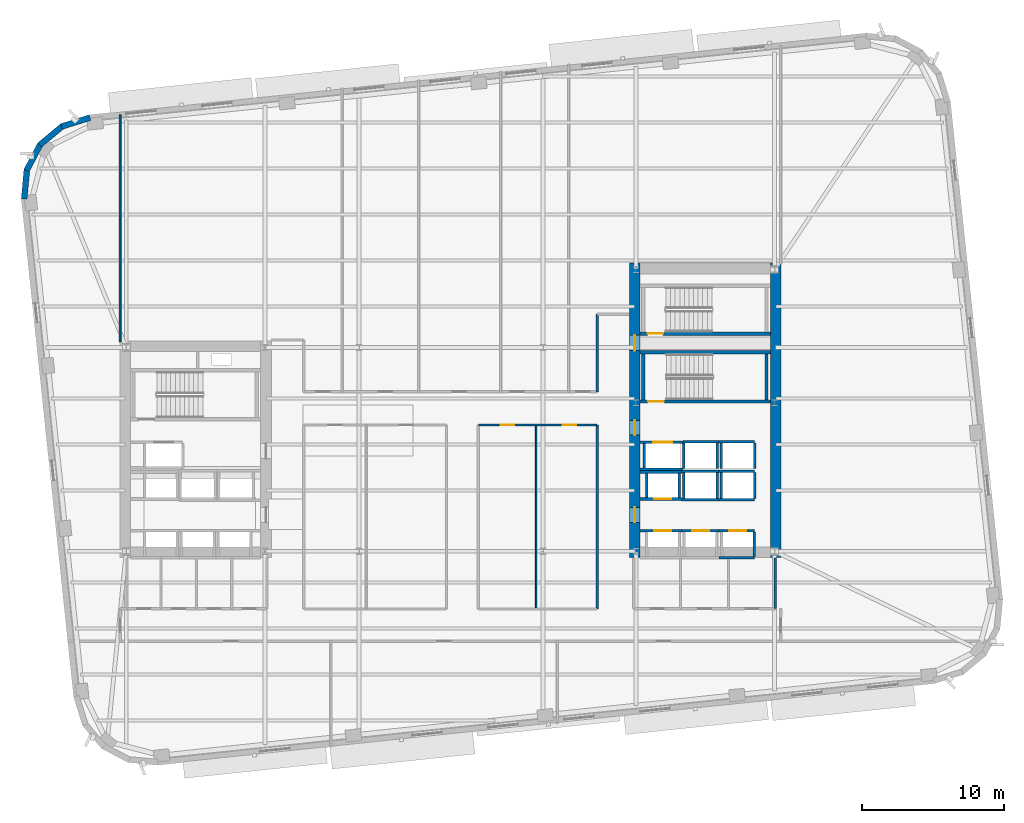
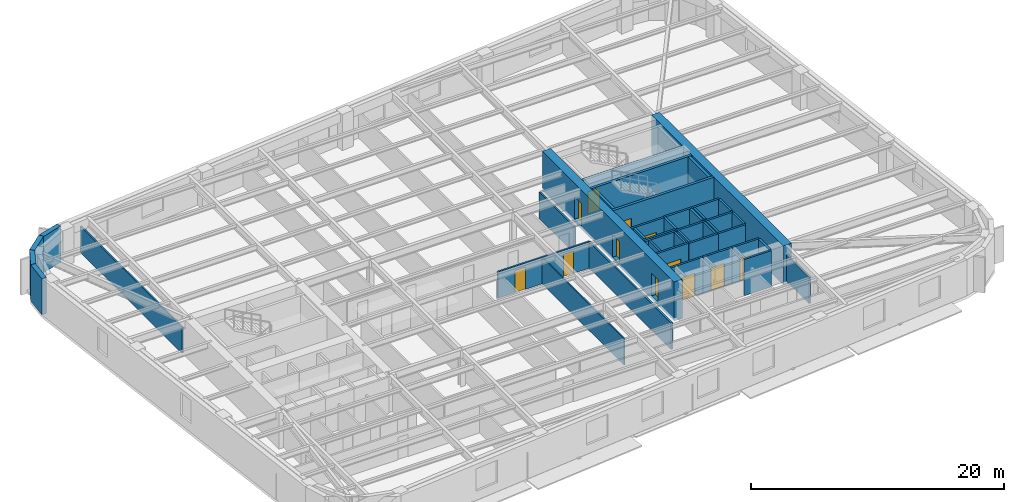
# One storey, part 6 of 15: 43 walls, 12 doors, 12 openings.
"""IFC4 building model written with IfcOpenShell, lengths in metres."""

from ifc_helpers import new_model, si_unit, direction, frame, frame_2d, origin, place, context, subcontext, project, spatial, rectangle, extrude, material, layer, layer_set, type_object, element, fill, save


model = new_model("IFC4")

# Units and contexts
model_context = context("Model", 3, precision=1e-05, world=origin(), true_north=direction((0.0, 1.0)))
body_context = subcontext(model_context, "Body", "Model", "MODEL_VIEW")
ifc_project = project(units=[si_unit("LENGTHUNIT", "METRE"), si_unit("AREAUNIT", "SQUARE_METRE"), si_unit("VOLUMEUNIT", "CUBIC_METRE"), si_unit("PLANEANGLEUNIT", "RADIAN"), si_unit("MASSUNIT", "GRAM", prefix="KILO")], contexts=[model_context])

# Site, building, storey
site_placement = place(None, origin())
site = spatial("IfcSite", under=ifc_project, at=site_placement, CompositionType="ELEMENT")
building_placement = place(site_placement, origin())
building = spatial("IfcBuilding", under=site, at=building_placement, Name="Kolvaren Arena Tower", CompositionType="ELEMENT")
storey_placement = place(building_placement, frame((0.0, 0.0, 107.199951171875)))
storey = spatial("IfcBuildingStorey", under=building, at=storey_placement, Name="L24", CompositionType="ELEMENT", Elevation=107.199951171875)

# Wall, openings, doors
ifc_material_1 = material(Name="Gypsum board acoustic assembly", Category="gypsum")
ifc_layer_1 = layer(ifc_material_1, 0.159912109375)
ifc_layer_set_1 = layer_set([ifc_layer_1], Name="Gypsum board acoustic assembly")
wall_type_1 = type_object("IfcWallType", Name="CORR-160", PredefinedType="PARTITIONING", material=ifc_layer_set_1)
wall_1_placement = place(storey_placement, frame((39.43994140625, 28.3798828125, 0.0), z_axis=(0.0, 0.0, 1.0), x_axis=(1.0, 0.0, 0.0)))
wall_1 = element("IfcWall", 1, at=wall_1_placement, inside=storey, type_object=wall_type_1, Name="Interior Partition Wall (L24)", PredefinedType="PARTITIONING", context=body_context, shape_type="SweptSolid", body=[
    extrude(rectangle(XDim=8.360107421875, YDim=0.159912109375, at=frame_2d((4.18017578125, 0.0))), origin(), (0.0, 0.0, 1.0), 2.5400390625),
])
opening_1_placement = place(wall_1_placement, frame((1.554931640625, 0.0, 0.0)))
opening_1 = element("IfcOpeningElement", 2, at=opening_1_placement, cuts=wall_1, Name="Opening D05", PredefinedType="OPENING", context=body_context, shape_type="SweptSolid", body=[
    extrude(rectangle(XDim=0.949951171875, YDim=2.14990234375, at=frame_2d((0.47509765625, 1.074951171875))), frame((0.0, 0.08984375, 0.0), z_axis=(0.0, -1.0, 0.0), x_axis=(1.0, 0.0, 0.0)), (0.0, 0.0, 1.0), 0.179931640625),
])
opening_2_placement = place(wall_1_placement, frame((5.93505859375, 0.0, 0.0)))
opening_2 = element("IfcOpeningElement", 3, at=opening_2_placement, cuts=wall_1, Name="Opening D05", PredefinedType="OPENING", context=body_context, shape_type="SweptSolid", body=[
    extrude(rectangle(XDim=0.949951171875, YDim=2.14990234375, at=frame_2d((0.47509765625, 1.074951171875))), frame((0.0, 0.08984375, 0.0), z_axis=(0.0, -1.0, 0.0), x_axis=(1.0, 0.0, 0.0)), (0.0, 0.0, 1.0), 0.179931640625),
])
ifc_material_2 = material(Name="Solid-core oak acoustic office door", Category="wood")
door_type_1 = type_object("IfcDoorType", Name="DOOR-OF-095", OperationType="NOTDEFINED", PredefinedType="DOOR", material=ifc_material_2)
door_1_placement = place(opening_1_placement, origin())
door_1 = element("IfcDoor", 4, at=door_1_placement, inside=storey, type_object=door_type_1, Name="Breakout Pantry and Kitchen Door (L24)", OperationType="SINGLE_SWING_RIGHT", OverallHeight=2.14990234375, OverallWidth=0.949951171875, PredefinedType="DOOR", context=body_context, shape_type="SweptSolid", body=[
    extrude(rectangle(XDim=0.949951171875, YDim=2.14990234375, at=frame_2d((0.47509765625, 1.074951171875))), frame((0.0, 0.02490234375, 0.0), z_axis=(0.0, -1.0, 0.0), x_axis=(1.0, 0.0, 0.0)), (0.0, 0.0, 1.0), 0.050048828125),
])
fill(opening_1, door_1)
door_2_placement = place(opening_2_placement, origin())
door_2 = element("IfcDoor", 5, at=door_2_placement, inside=storey, type_object=door_type_1, Name="Open Plan Office Door (L24)", OperationType="SINGLE_SWING_LEFT", OverallHeight=2.14990234375, OverallWidth=0.949951171875, PredefinedType="DOOR", context=body_context, shape_type="SweptSolid", body=[
    extrude(rectangle(XDim=0.949951171875, YDim=2.14990234375, at=frame_2d((0.47509765625, 1.074951171875))), frame((0.0, 0.02490234375, 0.0), z_axis=(0.0, -1.0, 0.0), x_axis=(1.0, 0.0, 0.0)), (0.0, 0.0, 1.0), 0.050048828125),
])
fill(opening_2, door_2)

# Walls
wall_2_placement = place(storey_placement, frame((47.820068359375, 15.3798828125, 0.0), z_axis=(0.0, 0.0, 1.0), x_axis=(0.0, 1.0, 0.0)))
element("IfcWall", 6, at=wall_2_placement, inside=storey, type_object=wall_type_1, Name="Interior Partition Wall (L24)", PredefinedType="PARTITIONING", context=body_context, shape_type="SweptSolid", body=[
    extrude(rectangle(XDim=13.0, YDim=0.159912109375, at=frame_2d((6.5, 0.0))), origin(), (0.0, 0.0, 1.0), 2.5400390625),
])
wall_3_placement = place(storey_placement, frame((47.820068359375, 30.719970703125, 0.0), z_axis=(0.0, 0.0, 1.0), x_axis=(0.0, 1.0, 0.0)))
element("IfcWall", 7, at=wall_3_placement, inside=storey, type_object=wall_type_1, Name="Interior Partition Wall (L24)", PredefinedType="PARTITIONING", context=body_context, shape_type="SweptSolid", body=[
    extrude(rectangle(XDim=5.47998046875, YDim=0.159912109375, at=frame_2d((2.739990234375, 0.0))), origin(), (0.0, 0.0, 1.0), 2.5400390625),
])

# Wall, openings, doors
ifc_material_3 = material(Name="Concrete 70 MPa", Category="concrete")
ifc_layer_2 = layer(ifc_material_3, 0.75)
ifc_layer_set_2 = layer_set([ifc_layer_2], Name="Concrete 70 MPa")
wall_type_2 = type_object("IfcWallType", Name="CWALL-750", PredefinedType="SHEAR", material=ifc_layer_set_2)
wall_4_placement = place(storey_placement, frame((50.47509765625, 19.0, -0.27001953125), z_axis=(0.0, 0.0, 1.0), x_axis=(0.0, 1.0, 0.0)))
wall_4 = element("IfcWall", 8, at=wall_4_placement, inside=storey, type_object=wall_type_2, Name="Core Shear Wall EC-WEST (L24)", PredefinedType="SHEAR", context=body_context, shape_type="SweptSolid", body=[
    extrude(rectangle(XDim=20.800048828125, YDim=0.75, at=frame_2d((10.39990234375, 0.0))), origin(), (0.0, 0.0, 1.0), 3.75),
])
opening_3_placement = place(wall_4_placement, frame((2.5, 0.0, 0.27001953125)))
opening_3 = element("IfcOpeningElement", 9, at=opening_3_placement, cuts=wall_4, Name="Opening D04", PredefinedType="OPENING", context=body_context, shape_type="SweptSolid", body=[
    extrude(rectangle(XDim=1.050048828125, YDim=2.14990234375, at=frame_2d((0.52490234375, 1.074951171875))), frame((0.0, 0.385009765625, 0.0), z_axis=(0.0, -1.0, 0.0), x_axis=(1.0, 0.0, 0.0)), (0.0, 0.0, 1.0), 0.77001953125),
])
opening_4_placement = place(wall_4_placement, frame((8.64990234375, 0.0, 0.27001953125)))
opening_4 = element("IfcOpeningElement", 10, at=opening_4_placement, cuts=wall_4, Name="Opening D04", PredefinedType="OPENING", context=body_context, shape_type="SweptSolid", body=[
    extrude(rectangle(XDim=1.050048828125, YDim=2.14990234375, at=frame_2d((0.52490234375, 1.074951171875))), frame((0.0, 0.385009765625, 0.0), z_axis=(0.0, -1.0, 0.0), x_axis=(1.0, 0.0, 0.0)), (0.0, 0.0, 1.0), 0.77001953125),
])
opening_5_placement = place(wall_4_placement, frame((14.6201171875, 0.0, 0.27001953125)))
opening_5 = element("IfcOpeningElement", 11, at=opening_5_placement, cuts=wall_4, Name="Opening D03", PredefinedType="OPENING", context=body_context, shape_type="SweptSolid", body=[
    extrude(rectangle(XDim=1.10009765625, YDim=2.14990234375, at=frame_2d((0.550048828125, 1.074951171875))), frame((0.0, 0.385009765625, 0.0), z_axis=(0.0, -1.0, 0.0), x_axis=(1.0, 0.0, 0.0)), (0.0, 0.0, 1.0), 0.77001953125),
])
ifc_material_4 = material(Name="Fire-rated steel lobby door", Category="steel")
door_type_2 = type_object("IfcDoorType", Name="DOOR-FF-105", OperationType="NOTDEFINED", PredefinedType="DOOR", material=ifc_material_4)
door_3_placement = place(opening_3_placement, origin())
door_3 = element("IfcDoor", 12, at=door_3_placement, inside=storey, type_object=door_type_2, Name="East Lift Lobby Fire Door (L24)", OperationType="SINGLE_SWING_RIGHT", OverallHeight=2.14990234375, OverallWidth=1.050048828125, PredefinedType="DOOR", context=body_context, shape_type="SweptSolid", body=[
    extrude(rectangle(XDim=1.050048828125, YDim=2.14990234375, at=frame_2d((0.52490234375, 1.074951171875))), frame((0.0, 0.02490234375, 0.0), z_axis=(0.0, -1.0, 0.0), x_axis=(1.0, 0.0, 0.0)), (0.0, 0.0, 1.0), 0.050048828125),
])
fill(opening_3, door_3)
door_4_placement = place(opening_4_placement, origin())
door_4 = element("IfcDoor", 13, at=door_4_placement, inside=storey, type_object=door_type_2, Name="East Firefighter Vestibule Door (L24)", OperationType="SINGLE_SWING_LEFT", OverallHeight=2.14990234375, OverallWidth=1.050048828125, PredefinedType="DOOR", context=body_context, shape_type="SweptSolid", body=[
    extrude(rectangle(XDim=1.050048828125, YDim=2.14990234375, at=frame_2d((0.52490234375, 1.074951171875))), frame((0.0, 0.02490234375, 0.0), z_axis=(0.0, -1.0, 0.0), x_axis=(1.0, 0.0, 0.0)), (0.0, 0.0, 1.0), 0.050048828125),
])
fill(opening_4, door_4)
ifc_material_5 = material(Name="Fire-rated steel exit stair door", Category="steel")
door_type_3 = type_object("IfcDoorType", Name="DOOR-ST-110", OperationType="NOTDEFINED", PredefinedType="DOOR", material=ifc_material_5)
door_5_placement = place(opening_5_placement, origin())
door_5 = element("IfcDoor", 14, at=door_5_placement, inside=storey, type_object=door_type_3, Name="Stair ST-E2 Vestibule Fire Door (L24)", OperationType="SINGLE_SWING_LEFT", OverallHeight=2.14990234375, OverallWidth=1.10009765625, PredefinedType="DOOR", context=body_context, shape_type="SweptSolid", body=[
    extrude(rectangle(XDim=1.10009765625, YDim=2.14990234375, at=frame_2d((0.550048828125, 1.074951171875))), frame((0.0, 0.02490234375, 0.0), z_axis=(0.0, -1.0, 0.0), x_axis=(1.0, 0.0, 0.0)), (0.0, 0.0, 1.0), 0.050048828125),
])
fill(opening_5, door_5)

# Walls
wall_5_placement = place(storey_placement, frame((60.425048828125, 19.0, -0.27001953125), z_axis=(0.0, 0.0, 1.0), x_axis=(0.0, 1.0, 0.0)))
element("IfcWall", 15, at=wall_5_placement, inside=storey, type_object=wall_type_2, Name="Core Shear Wall EC-EAST (L24)", PredefinedType="SHEAR", context=body_context, shape_type="SweptSolid", body=[
    extrude(rectangle(XDim=20.800048828125, YDim=0.75, at=frame_2d((10.39990234375, 0.0))), origin(), (0.0, 0.0, 1.0), 3.75),
])
ifc_material_6 = material(Name="Precast concrete C50/60", Category="concrete")
ifc_layer_3 = layer(ifc_material_6, 0.419921875)
ifc_layer_set_3 = layer_set([ifc_layer_3], Name="Precast concrete C50/60")
wall_type_3 = type_object("IfcWallType", Name="EXT-PIER1", PredefinedType="SOLIDWALL", material=ifc_layer_set_3)
wall_6_placement = place(storey_placement, frame((9.98681640625, 49.463134765625, 0.0), z_axis=(0.0, 0.0, 1.0), x_axis=(0.955016613791, 0.296552301261, 0.0)))
element("IfcWall", 16, at=wall_6_placement, inside=storey, type_object=wall_type_3, Name="Exterior Precast Masonry-Frame Wall (L24)", PredefinedType="SOLIDWALL", context=body_context, shape_type="SweptSolid", body=[
    extrude(rectangle(XDim=2.106689453125, YDim=0.419921875, at=frame_2d((1.05322265625, 0.0))), origin(), (0.0, 0.0, 1.0), 3.47998046875),
])
wall_7_placement = place(storey_placement, frame((8.438720703125, 48.15478515625, 0.0), z_axis=(0.0, 0.0, 1.0), x_axis=(0.768800317178, 0.639488914921, 0.0)))
element("IfcWall", 17, at=wall_7_placement, inside=storey, type_object=wall_type_3, Name="Exterior Precast Masonry-Frame Wall (L24)", PredefinedType="SOLIDWALL", context=body_context, shape_type="SweptSolid", body=[
    extrude(rectangle(XDim=2.10693359375, YDim=0.419921875, at=frame_2d((1.053466796875, 0.0))), origin(), (0.0, 0.0, 1.0), 3.47998046875),
])
wall_8_placement = place(storey_placement, frame((7.50927734375, 46.35400390625, 0.0), z_axis=(0.0, 0.0, 1.0), x_axis=(0.465612698516, 0.884988595961, 0.0)))
element("IfcWall", 18, at=wall_8_placement, inside=storey, type_object=wall_type_3, Name="Exterior Precast Masonry-Frame Wall (L24)", PredefinedType="SOLIDWALL", context=body_context, shape_type="SweptSolid", body=[
    extrude(rectangle(XDim=2.106689453125, YDim=0.419921875, at=frame_2d((1.05322265625, 0.0))), origin(), (0.0, 0.0, 1.0), 3.47998046875),
])
wall_9_placement = place(storey_placement, frame((7.339599609375, 44.33447265625, 0.0), z_axis=(0.0, 0.0, 1.0), x_axis=(0.091538655308, 0.995801523691, 0.0)))
element("IfcWall", 19, at=wall_9_placement, inside=storey, type_object=wall_type_3, Name="Exterior Precast Masonry-Frame Wall (L24)", PredefinedType="SOLIDWALL", context=body_context, shape_type="SweptSolid", body=[
    extrude(rectangle(XDim=2.10693359375, YDim=0.419921875, at=frame_2d((1.053466796875, 0.0))), origin(), (0.0, 0.0, 1.0), 3.47998046875),
])
ifc_material_7 = material(Name="Gypsum board partition assembly", Category="gypsum")
ifc_layer_4 = layer(ifc_material_7, 0.114990234375)
ifc_layer_set_4 = layer_set([ifc_layer_4], Name="Gypsum board partition assembly")
wall_type_4 = type_object("IfcWallType", Name="PART-115", PredefinedType="PARTITIONING", material=ifc_layer_set_4)
wall_10_placement = place(storey_placement, frame((43.5, 15.3798828125, 0.0), z_axis=(0.0, 0.0, 1.0), x_axis=(0.0, 1.0, 0.0)))
element("IfcWall", 20, at=wall_10_placement, inside=storey, type_object=wall_type_4, Name="Interior Partition Wall (L24)", PredefinedType="PARTITIONING", context=body_context, shape_type="SweptSolid", body=[
    extrude(rectangle(XDim=13.0, YDim=0.114990234375, at=frame_2d((6.5, 0.0))), origin(), (0.0, 0.0, 1.0), 2.5400390625),
])
ifc_layer_5 = layer(ifc_material_7, 0.135009765625)
ifc_layer_set_5 = layer_set([ifc_layer_5], Name="Gypsum board partition assembly")
wall_type_5 = type_object("IfcWallType", Name="PART-135", PredefinedType="PARTITIONING", material=ifc_layer_set_5)
wall_11_placement = place(storey_placement, frame((14.1201171875, 34.25, 0.0), z_axis=(0.0, 0.0, 1.0), x_axis=(0.0, 1.0, 0.0)))
element("IfcWall", 21, at=wall_11_placement, inside=storey, type_object=wall_type_5, Name="Interior Partition Wall (L24)", PredefinedType="PARTITIONING", context=body_context, shape_type="SweptSolid", body=[
    extrude(rectangle(XDim=16.026611328125, YDim=0.135009765625, at=frame_2d((8.01318359375, 0.0))), origin(), (0.0, 0.0, 1.0), 2.5400390625),
])

# Wall, opening, door
ifc_material_8 = material(Name="Concrete 45 MPa", Category="concrete")
ifc_layer_6 = layer(ifc_material_8, 0.25)
ifc_layer_set_6 = layer_set([ifc_layer_6], Name="Concrete 45 MPa")
wall_type_6 = type_object("IfcWallType", Name="SHAFT-250", PredefinedType="SOLIDWALL", material=ifc_layer_set_6)
wall_12_placement = place(storey_placement, frame((60.050048828125, 30.030029296875, 0.0), z_axis=(0.0, 0.0, 1.0), x_axis=(-1.0, 0.0, 0.0)))
wall_12 = element("IfcWall", 22, at=wall_12_placement, inside=storey, type_object=wall_type_6, Name="Core Shaft Wall (L24)", PredefinedType="SOLIDWALL", context=body_context, shape_type="SweptSolid", body=[
    extrude(rectangle(XDim=9.199951171875, YDim=0.239990234375, at=frame_2d((4.60009765625, 0.0))), origin(), (0.0, 0.0, 1.0), 3.47998046875),
])
opening_6_placement = place(wall_12_placement, frame((7.530029296875, 0.0, 0.0)))
opening_6 = element("IfcOpeningElement", 23, at=opening_6_placement, cuts=wall_12, Name="Opening D03", PredefinedType="OPENING", context=body_context, shape_type="SweptSolid", body=[
    extrude(rectangle(XDim=1.10009765625, YDim=2.14990234375, at=frame_2d((0.550048828125, 1.074951171875))), frame((0.0, 0.1298828125, 0.0), z_axis=(0.0, -1.0, 0.0), x_axis=(1.0, 0.0, 0.0)), (0.0, 0.0, 1.0), 0.260009765625),
])
door_6_placement = place(opening_6_placement, origin())
door_6 = element("IfcDoor", 24, at=door_6_placement, inside=storey, type_object=door_type_3, Name="Stair ST-E1 Fire Door (L24)", OperationType="SINGLE_SWING_LEFT", OverallHeight=2.14990234375, OverallWidth=1.10009765625, PredefinedType="DOOR", context=body_context, shape_type="SweptSolid", body=[
    extrude(rectangle(XDim=1.10009765625, YDim=2.14990234375, at=frame_2d((0.550048828125, 1.074951171875))), frame((0.0, 0.02490234375, 0.0), z_axis=(0.0, -1.0, 0.0), x_axis=(1.0, 0.0, 0.0)), (0.0, 0.0, 1.0), 0.050048828125),
])
fill(opening_6, door_6)

# Walls
wall_13_placement = place(storey_placement, frame((50.85009765625, 33.5, 0.0), z_axis=(0.0, 0.0, 1.0), x_axis=(1.0, 0.0, 0.0)))
element("IfcWall", 25, at=wall_13_placement, inside=storey, type_object=wall_type_6, Name="Core Shaft Wall (L24)", PredefinedType="SOLIDWALL", context=body_context, shape_type="SweptSolid", body=[
    extrude(rectangle(XDim=9.199951171875, YDim=0.239990234375, at=frame_2d((4.60009765625, 0.0))), origin(), (0.0, 0.0, 1.0), 3.47998046875),
])
for number, where, z_axis, x_axis, name in (
    (26, (51.06005859375, 30.14990234375, 0.0), (0.0, 0.0, 1.0), (0.0, 1.0, 0.0), "Core Shaft Wall (L24)"),
    (27, (59.780029296875, 30.14990234375, 0.0), (0.0, 0.0, 1.0), (0.0, 1.0, 0.0), "Core Shaft Wall (L24)"),
):
    element("IfcWall", number, at=place(storey_placement, frame(where, z_axis=z_axis, x_axis=x_axis)), inside=storey, type_object=wall_type_6, Name=name, PredefinedType="SOLIDWALL", context=body_context, shape_type="SweptSolid", body=[
        extrude(rectangle(XDim=3.22998046875, YDim=0.239990234375, at=frame_2d((1.614990234375, 0.0))), origin(), (0.0, 0.0, 1.0), 3.47998046875),
    ])

# Wall, opening, door
wall_14_placement = place(storey_placement, frame((60.050048828125, 34.830078125, 0.0), z_axis=(0.0, 0.0, 1.0), x_axis=(-1.0, 0.0, 0.0)))
wall_14 = element("IfcWall", 28, at=wall_14_placement, inside=storey, type_object=wall_type_6, Name="Core Shaft Wall (L24)", PredefinedType="SOLIDWALL", context=body_context, shape_type="SweptSolid", body=[
    extrude(rectangle(XDim=9.199951171875, YDim=0.239990234375, at=frame_2d((4.60009765625, 0.0))), origin(), (0.0, 0.0, 1.0), 3.47998046875),
])
opening_7_placement = place(wall_14_placement, frame((7.570068359375, 0.0, 0.0)))
opening_7 = element("IfcOpeningElement", 29, at=opening_7_placement, cuts=wall_14, Name="Opening D03", PredefinedType="OPENING", context=body_context, shape_type="SweptSolid", body=[
    extrude(rectangle(XDim=1.10009765625, YDim=2.14990234375, at=frame_2d((0.550048828125, 1.074951171875))), frame((0.0, 0.1298828125, 0.0), z_axis=(0.0, -1.0, 0.0), x_axis=(1.0, 0.0, 0.0)), (0.0, 0.0, 1.0), 0.260009765625),
])
door_7_placement = place(opening_7_placement, origin())
door_7 = element("IfcDoor", 30, at=door_7_placement, inside=storey, type_object=door_type_3, Name="Stair ST-E2 Fire Door (L24)", OperationType="SINGLE_SWING_LEFT", OverallHeight=2.14990234375, OverallWidth=1.10009765625, PredefinedType="DOOR", context=body_context, shape_type="SweptSolid", body=[
    extrude(rectangle(XDim=1.10009765625, YDim=2.14990234375, at=frame_2d((0.550048828125, 1.074951171875))), frame((0.0, 0.02490234375, 0.0), z_axis=(0.0, -1.0, 0.0), x_axis=(1.0, 0.0, 0.0)), (0.0, 0.0, 1.0), 0.050048828125),
])
fill(opening_7, door_7)

wall_15_placement = place(storey_placement, frame((50.85009765625, 20.905029296875, 0.0), z_axis=(0.0, 0.0, 1.0), x_axis=(1.0, 0.0, 0.0)))
wall_15 = element("IfcWall", 31, at=wall_15_placement, inside=storey, type_object=wall_type_6, Name="Core Shaft Wall (L24)", PredefinedType="SOLIDWALL", context=body_context, shape_type="SweptSolid", body=[
    extrude(rectangle(XDim=2.93994140625, YDim=0.179931640625, at=frame_2d((1.469970703125, 0.0))), origin(), (0.0, 0.0, 1.0), 3.47998046875),
])
opening_8_placement = place(wall_15_placement, frame((1.010009765625, 0.0, 0.0)))
opening_8 = element("IfcOpeningElement", 32, at=opening_8_placement, cuts=wall_15, Name="Opening LD1", PredefinedType="OPENING", context=body_context, shape_type="SweptSolid", body=[
    extrude(rectangle(XDim=1.199951171875, YDim=2.199951171875, at=frame_2d((0.60009765625, 1.10009765625))), frame((0.0, 0.099853515625, 0.0), z_axis=(0.0, -1.0, 0.0), x_axis=(1.0, 0.0, 0.0)), (0.0, 0.0, 1.0), 0.199951171875),
])
ifc_material_9 = material(Name="Stainless steel passenger lift landing door", Category="steel")
door_type_4 = type_object("IfcDoorType", Name="DOOR-LD-120", OperationType="DOUBLE_DOOR_SLIDING", PredefinedType="DOOR", material=ifc_material_9)
door_8_placement = place(opening_8_placement, origin())
door_8 = element("IfcDoor", 33, at=door_8_placement, inside=storey, type_object=door_type_4, Name="Lift EL-LR1 Landing Door (L24)", OperationType="DOUBLE_DOOR_SLIDING", OverallHeight=2.199951171875, OverallWidth=1.199951171875, PredefinedType="DOOR", context=body_context, shape_type="SweptSolid", body=[
    extrude(rectangle(XDim=1.199951171875, YDim=2.199951171875, at=frame_2d((0.60009765625, 1.10009765625))), frame((0.0, 0.02490234375, 0.0), z_axis=(0.0, -1.0, 0.0), x_axis=(1.0, 0.0, 0.0)), (0.0, 0.0, 1.0), 0.050048828125),
])
fill(opening_8, door_8)

wall_16_placement = place(storey_placement, frame((53.7900390625, 20.905029296875, 0.0), z_axis=(0.0, 0.0, 1.0), x_axis=(1.0, 0.0, 0.0)))
wall_16 = element("IfcWall", 34, at=wall_16_placement, inside=storey, type_object=wall_type_6, Name="Core Shaft Wall (L24)", PredefinedType="SOLIDWALL", context=body_context, shape_type="SweptSolid", body=[
    extrude(rectangle(XDim=2.64990234375, YDim=0.179931640625, at=frame_2d((1.324951171875, 0.0))), origin(), (0.0, 0.0, 1.0), 3.47998046875),
])
opening_9_placement = place(wall_16_placement, frame((0.72998046875, 0.0, 0.0)))
opening_9 = element("IfcOpeningElement", 35, at=opening_9_placement, cuts=wall_16, Name="Opening LD1", PredefinedType="OPENING", context=body_context, shape_type="SweptSolid", body=[
    extrude(rectangle(XDim=1.199951171875, YDim=2.199951171875, at=frame_2d((0.60009765625, 1.10009765625))), frame((0.0, 0.099853515625, 0.0), z_axis=(0.0, -1.0, 0.0), x_axis=(1.0, 0.0, 0.0)), (0.0, 0.0, 1.0), 0.199951171875),
])
door_9_placement = place(opening_9_placement, origin())
door_9 = element("IfcDoor", 36, at=door_9_placement, inside=storey, type_object=door_type_4, Name="Lift EL-LR2 Landing Door (L24)", OperationType="DOUBLE_DOOR_SLIDING", OverallHeight=2.199951171875, OverallWidth=1.199951171875, PredefinedType="DOOR", context=body_context, shape_type="SweptSolid", body=[
    extrude(rectangle(XDim=1.199951171875, YDim=2.199951171875, at=frame_2d((0.60009765625, 1.10009765625))), frame((0.0, 0.02490234375, 0.0), z_axis=(0.0, -1.0, 0.0), x_axis=(1.0, 0.0, 0.0)), (0.0, 0.0, 1.0), 0.050048828125),
])
fill(opening_9, door_9)

wall_17_placement = place(storey_placement, frame((56.43994140625, 20.905029296875, 0.0), z_axis=(0.0, 0.0, 1.0), x_axis=(1.0, 0.0, 0.0)))
wall_17 = element("IfcWall", 37, at=wall_17_placement, inside=storey, type_object=wall_type_6, Name="Core Shaft Wall (L24)", PredefinedType="SOLIDWALL", context=body_context, shape_type="SweptSolid", body=[
    extrude(rectangle(XDim=2.47509765625, YDim=0.179931640625, at=frame_2d((1.237548828125, 0.0))), origin(), (0.0, 0.0, 1.0), 3.47998046875),
])
opening_10_placement = place(wall_17_placement, frame((0.719970703125, 0.0, 0.0)))
opening_10 = element("IfcOpeningElement", 38, at=opening_10_placement, cuts=wall_17, Name="Opening LD1", PredefinedType="OPENING", context=body_context, shape_type="SweptSolid", body=[
    extrude(rectangle(XDim=1.199951171875, YDim=2.199951171875, at=frame_2d((0.60009765625, 1.10009765625))), frame((0.0, 0.099853515625, 0.0), z_axis=(0.0, -1.0, 0.0), x_axis=(1.0, 0.0, 0.0)), (0.0, 0.0, 1.0), 0.199951171875),
])
door_10_placement = place(opening_10_placement, origin())
door_10 = element("IfcDoor", 39, at=door_10_placement, inside=storey, type_object=door_type_4, Name="Lift EL-LR3 Landing Door (L24)", OperationType="DOUBLE_DOOR_SLIDING", OverallHeight=2.199951171875, OverallWidth=1.199951171875, PredefinedType="DOOR", context=body_context, shape_type="SweptSolid", body=[
    extrude(rectangle(XDim=1.199951171875, YDim=2.199951171875, at=frame_2d((0.60009765625, 1.10009765625))), frame((0.0, 0.02490234375, 0.0), z_axis=(0.0, -1.0, 0.0), x_axis=(1.0, 0.0, 0.0)), (0.0, 0.0, 1.0), 0.050048828125),
])
fill(opening_10, door_10)

# Walls
wall_18_placement = place(storey_placement, frame((56.43994140625, 18.9951171875, 0.0), z_axis=(0.0, 0.0, 1.0), x_axis=(1.0, 0.0, 0.0)))
element("IfcWall", 40, at=wall_18_placement, inside=storey, type_object=wall_type_6, Name="Core Shaft Wall (L24)", PredefinedType="SOLIDWALL", context=body_context, shape_type="SweptSolid", body=[
    extrude(rectangle(XDim=2.47509765625, YDim=0.179931640625, at=frame_2d((1.237548828125, 0.0))), origin(), (0.0, 0.0, 1.0), 3.47998046875),
])
wall_19_placement = place(storey_placement, frame((58.9150390625, 19.0849609375, 0.0), z_axis=(0.0, 0.0, 1.0), x_axis=(0.0, 1.0, 0.0)))
element("IfcWall", 41, at=wall_19_placement, inside=storey, type_object=wall_type_6, Name="Core Shaft Wall (L24)", PredefinedType="SOLIDWALL", context=body_context, shape_type="SweptSolid", body=[
    extrude(rectangle(XDim=1.72998046875, YDim=0.179931640625, at=frame_2d((0.864990234375, 0.0))), origin(), (0.0, 0.0, 1.0), 3.47998046875),
])
wall_20_placement = place(storey_placement, frame((50.85009765625, 25.054931640625, 0.0), z_axis=(0.0, 0.0, 1.0), x_axis=(1.0, 0.0, 0.0)))
element("IfcWall", 42, at=wall_20_placement, inside=storey, type_object=wall_type_6, Name="Core Shaft Wall (L24)", PredefinedType="SOLIDWALL", context=body_context, shape_type="SweptSolid", body=[
    extrude(rectangle(XDim=2.927490234375, YDim=0.179931640625, at=frame_2d((1.4638671875, 0.0))), origin(), (0.0, 0.0, 1.0), 3.47998046875),
])

# Wall, opening, door
wall_21_placement = place(storey_placement, frame((50.85009765625, 23.14501953125, 0.0), z_axis=(0.0, 0.0, 1.0), x_axis=(1.0, 0.0, 0.0)))
wall_21 = element("IfcWall", 43, at=wall_21_placement, inside=storey, type_object=wall_type_6, Name="Core Shaft Wall (L24)", PredefinedType="SOLIDWALL", context=body_context, shape_type="SweptSolid", body=[
    extrude(rectangle(XDim=2.927490234375, YDim=0.179931640625, at=frame_2d((1.4638671875, 0.0))), origin(), (0.0, 0.0, 1.0), 3.47998046875),
])
opening_11_placement = place(wall_21_placement, frame((1.010009765625, 0.0, 0.0)))
opening_11 = element("IfcOpeningElement", 44, at=opening_11_placement, cuts=wall_21, Name="Opening LD1", PredefinedType="OPENING", context=body_context, shape_type="SweptSolid", body=[
    extrude(rectangle(XDim=1.199951171875, YDim=2.199951171875, at=frame_2d((0.60009765625, 1.10009765625))), frame((0.0, 0.099853515625, 0.0), z_axis=(0.0, -1.0, 0.0), x_axis=(1.0, 0.0, 0.0)), (0.0, 0.0, 1.0), 0.199951171875),
])
door_11_placement = place(opening_11_placement, origin())
door_11 = element("IfcDoor", 45, at=door_11_placement, inside=storey, type_object=door_type_4, Name="Lift EL-LR4 Landing Door (L24)", OperationType="DOUBLE_DOOR_SLIDING", OverallHeight=2.199951171875, OverallWidth=1.199951171875, PredefinedType="DOOR", context=body_context, shape_type="SweptSolid", body=[
    extrude(rectangle(XDim=1.199951171875, YDim=2.199951171875, at=frame_2d((0.60009765625, 1.10009765625))), frame((0.0, 0.02490234375, 0.0), z_axis=(0.0, -1.0, 0.0), x_axis=(1.0, 0.0, 0.0)), (0.0, 0.0, 1.0), 0.050048828125),
])
fill(opening_11, door_11)

# Walls
for number, where, z_axis, x_axis, name in (
    (46, (51.304931640625, 23.235107421875, 0.0), (0.0, 0.0, 1.0), (0.0, 1.0, 0.0), "Core Shaft Wall (L24)"),
    (47, (53.614990234375, 23.235107421875, 0.0), (0.0, 0.0, 1.0), (0.0, 1.0, 0.0), "Core Shaft Wall (L24)"),
):
    element("IfcWall", number, at=place(storey_placement, frame(where, z_axis=z_axis, x_axis=x_axis)), inside=storey, type_object=wall_type_6, Name=name, PredefinedType="SOLIDWALL", context=body_context, shape_type="SweptSolid", body=[
        extrude(rectangle(XDim=1.72998046875, YDim=0.179931640625, at=frame_2d((0.864990234375, 0.0))), origin(), (0.0, 0.0, 1.0), 3.47998046875),
    ])
for number, where, z_axis, x_axis, name in (
    (48, (53.777587890625, 25.10498046875, 0.0), (0.0, 0.0, 1.0), (1.0, 0.0, 0.0), "Core Shaft Wall (L24)"),
    (49, (53.777587890625, 23.094970703125, 0.0), (0.0, 0.0, 1.0), (1.0, 0.0, 0.0), "Core Shaft Wall (L24)"),
):
    element("IfcWall", number, at=place(storey_placement, frame(where, z_axis=z_axis, x_axis=x_axis)), inside=storey, type_object=wall_type_6, Name=name, PredefinedType="SOLIDWALL", context=body_context, shape_type="SweptSolid", body=[
        extrude(rectangle(XDim=2.662353515625, YDim=0.179931640625, at=frame_2d((1.3310546875, 0.0))), origin(), (0.0, 0.0, 1.0), 3.47998046875),
    ])
for number, where, z_axis, x_axis, name in (
    (50, (53.93994140625, 23.18505859375, 0.0), (0.0, 0.0, 1.0), (0.0, 1.0, 0.0), "Core Shaft Wall (L24)"),
    (51, (56.300048828125, 23.18505859375, 0.0), (0.0, 0.0, 1.0), (0.0, 1.0, 0.0), "Core Shaft Wall (L24)"),
):
    element("IfcWall", number, at=place(storey_placement, frame(where, z_axis=z_axis, x_axis=x_axis)), inside=storey, type_object=wall_type_6, Name=name, PredefinedType="SOLIDWALL", context=body_context, shape_type="SweptSolid", body=[
        extrude(rectangle(XDim=1.829833984375, YDim=0.179931640625, at=frame_2d((0.9150390625, 0.0))), origin(), (0.0, 0.0, 1.0), 3.47998046875),
    ])
for number, where, z_axis, x_axis, name in (
    (52, (56.43994140625, 25.10498046875, 0.0), (0.0, 0.0, 1.0), (1.0, 0.0, 0.0), "Core Shaft Wall (L24)"),
    (53, (56.43994140625, 23.094970703125, 0.0), (0.0, 0.0, 1.0), (1.0, 0.0, 0.0), "Core Shaft Wall (L24)"),
):
    element("IfcWall", number, at=place(storey_placement, frame(where, z_axis=z_axis, x_axis=x_axis)), inside=storey, type_object=wall_type_6, Name=name, PredefinedType="SOLIDWALL", context=body_context, shape_type="SweptSolid", body=[
        extrude(rectangle(XDim=2.5, YDim=0.179931640625, at=frame_2d((1.25, 0.0))), origin(), (0.0, 0.0, 1.0), 3.47998046875),
    ])
for number, where, z_axis, x_axis, name in (
    (54, (56.580078125, 23.18505859375, 0.0), (0.0, 0.0, 1.0), (0.0, 1.0, 0.0), "Core Shaft Wall (L24)"),
    (55, (58.93994140625, 23.18505859375, 0.0), (0.0, 0.0, 1.0), (0.0, 1.0, 0.0), "Core Shaft Wall (L24)"),
):
    element("IfcWall", number, at=place(storey_placement, frame(where, z_axis=z_axis, x_axis=x_axis)), inside=storey, type_object=wall_type_6, Name=name, PredefinedType="SOLIDWALL", context=body_context, shape_type="SweptSolid", body=[
        extrude(rectangle(XDim=1.829833984375, YDim=0.179931640625, at=frame_2d((0.9150390625, 0.0))), origin(), (0.0, 0.0, 1.0), 3.47998046875),
    ])
wall_22_placement = place(storey_placement, frame((53.864990234375, 27.205078125, 0.0), z_axis=(0.0, 0.0, 1.0), x_axis=(1.0, 0.0, 0.0)))
element("IfcWall", 56, at=wall_22_placement, inside=storey, type_object=wall_type_6, Name="Core Shaft Wall (L24)", PredefinedType="SOLIDWALL", context=body_context, shape_type="SweptSolid", body=[
    extrude(rectangle(XDim=2.574951171875, YDim=0.179931640625, at=frame_2d((1.28759765625, 0.0))), origin(), (0.0, 0.0, 1.0), 3.47998046875),
])
for number, where, z_axis, x_axis, name in (
    (57, (53.93994140625, 25.284912109375, 0.0), (0.0, 0.0, 1.0), (0.0, 1.0, 0.0), "Core Shaft Wall (L24)"),
    (58, (56.300048828125, 25.284912109375, 0.0), (0.0, 0.0, 1.0), (0.0, 1.0, 0.0), "Core Shaft Wall (L24)"),
):
    element("IfcWall", number, at=place(storey_placement, frame(where, z_axis=z_axis, x_axis=x_axis)), inside=storey, type_object=wall_type_6, Name=name, PredefinedType="SOLIDWALL", context=body_context, shape_type="SweptSolid", body=[
        extrude(rectangle(XDim=1.830078125, YDim=0.179931640625, at=frame_2d((0.9150390625, 0.0))), origin(), (0.0, 0.0, 1.0), 3.47998046875),
    ])
wall_23_placement = place(storey_placement, frame((56.43994140625, 27.205078125, 0.0), z_axis=(0.0, 0.0, 1.0), x_axis=(1.0, 0.0, 0.0)))
element("IfcWall", 59, at=wall_23_placement, inside=storey, type_object=wall_type_6, Name="Core Shaft Wall (L24)", PredefinedType="SOLIDWALL", context=body_context, shape_type="SweptSolid", body=[
    extrude(rectangle(XDim=2.5, YDim=0.179931640625, at=frame_2d((1.25, 0.0))), origin(), (0.0, 0.0, 1.0), 3.47998046875),
])
for number, where, z_axis, x_axis, name in (
    (60, (56.580078125, 25.284912109375, 0.0), (0.0, 0.0, 1.0), (0.0, 1.0, 0.0), "Core Shaft Wall (L24)"),
    (61, (58.93994140625, 25.284912109375, 0.0), (0.0, 0.0, 1.0), (0.0, 1.0, 0.0), "Core Shaft Wall (L24)"),
):
    element("IfcWall", number, at=place(storey_placement, frame(where, z_axis=z_axis, x_axis=x_axis)), inside=storey, type_object=wall_type_6, Name=name, PredefinedType="SOLIDWALL", context=body_context, shape_type="SweptSolid", body=[
        extrude(rectangle(XDim=1.830078125, YDim=0.179931640625, at=frame_2d((0.9150390625, 0.0))), origin(), (0.0, 0.0, 1.0), 3.47998046875),
    ])

# Wall, opening, door
wall_24_placement = place(storey_placement, frame((50.85009765625, 27.155029296875, 0.0), z_axis=(0.0, 0.0, 1.0), x_axis=(1.0, 0.0, 0.0)))
wall_24 = element("IfcWall", 62, at=wall_24_placement, inside=storey, type_object=wall_type_6, Name="Core Shaft Wall (L24)", PredefinedType="SOLIDWALL", context=body_context, shape_type="SweptSolid", body=[
    extrude(rectangle(XDim=3.014892578125, YDim=0.179931640625, at=frame_2d((1.50732421875, 0.0))), origin(), (0.0, 0.0, 1.0), 3.47998046875),
])
opening_12_placement = place(wall_24_placement, frame((0.93505859375, 0.0, 0.0)))
opening_12 = element("IfcOpeningElement", 63, at=opening_12_placement, cuts=wall_24, Name="Opening LD2", PredefinedType="OPENING", context=body_context, shape_type="SweptSolid", body=[
    extrude(rectangle(XDim=1.35009765625, YDim=2.300048828125, at=frame_2d((0.675048828125, 1.14990234375))), frame((0.0, 0.099853515625, 0.0), z_axis=(0.0, -1.0, 0.0), x_axis=(1.0, 0.0, 0.0)), (0.0, 0.0, 1.0), 0.199951171875),
])
ifc_material_10 = material(Name="Stainless steel firefighter lift landing door", Category="steel")
door_type_5 = type_object("IfcDoorType", Name="DOOR-LD-135", OperationType="DOUBLE_DOOR_SLIDING", PredefinedType="DOOR", material=ifc_material_10)
door_12_placement = place(opening_12_placement, origin())
door_12 = element("IfcDoor", 64, at=door_12_placement, inside=storey, type_object=door_type_5, Name="Firefighter Lift FF-E1 Landing Door (L24)", OperationType="DOUBLE_DOOR_SLIDING", OverallHeight=2.300048828125, OverallWidth=1.35009765625, PredefinedType="DOOR", context=body_context, shape_type="SweptSolid", body=[
    extrude(rectangle(XDim=1.35009765625, YDim=2.300048828125, at=frame_2d((0.675048828125, 1.14990234375))), frame((0.0, 0.02490234375, 0.0), z_axis=(0.0, -1.0, 0.0), x_axis=(1.0, 0.0, 0.0)), (0.0, 0.0, 1.0), 0.050048828125),
])
fill(opening_12, door_12)

# Walls
wall_25_placement = place(storey_placement, frame((50.85009765625, 25.2451171875, 0.0), z_axis=(0.0, 0.0, 1.0), x_axis=(1.0, 0.0, 0.0)))
element("IfcWall", 65, at=wall_25_placement, inside=storey, type_object=wall_type_6, Name="Core Shaft Wall (L24)", PredefinedType="SOLIDWALL", context=body_context, shape_type="SweptSolid", body=[
    extrude(rectangle(XDim=3.014892578125, YDim=0.179931640625, at=frame_2d((1.50732421875, 0.0))), origin(), (0.0, 0.0, 1.0), 3.47998046875),
])
wall_26_placement = place(storey_placement, frame((51.1298828125, 25.3349609375, 0.0), z_axis=(0.0, 0.0, 1.0), x_axis=(0.0, 1.0, 0.0)))
element("IfcWall", 66, at=wall_26_placement, inside=storey, type_object=wall_type_6, Name="Core Shaft Wall (L24)", PredefinedType="SOLIDWALL", context=body_context, shape_type="SweptSolid", body=[
    extrude(rectangle(XDim=1.72998046875, YDim=0.179931640625, at=frame_2d((0.864990234375, 0.0))), origin(), (0.0, 0.0, 1.0), 3.47998046875),
])
ifc_material_11 = material(Name="Moisture-resistant gypsum assembly", Category="gypsum")
ifc_layer_7 = layer(ifc_material_11, 0.14990234375)
ifc_layer_set_7 = layer_set([ifc_layer_7], Name="Moisture-resistant gypsum assembly")
wall_type_7 = type_object("IfcWallType", Name="WETW-150", PredefinedType="PARTITIONING", material=ifc_layer_set_7)
wall_27_placement = place(storey_placement, frame((60.39990234375, 15.39990234375, 0.0), z_axis=(0.0, 0.0, 1.0), x_axis=(0.0, 1.0, 0.0)))
element("IfcWall", 67, at=wall_27_placement, inside=storey, type_object=wall_type_7, Name="Interior Partition Wall (L24)", PredefinedType="PARTITIONING", context=body_context, shape_type="SweptSolid", body=[
    extrude(rectangle(XDim=3.580078125, YDim=0.14990234375, at=frame_2d((1.7900390625, 0.0))), origin(), (0.0, 0.0, 1.0), 2.5400390625),
])

save(model, "model.ifc")
